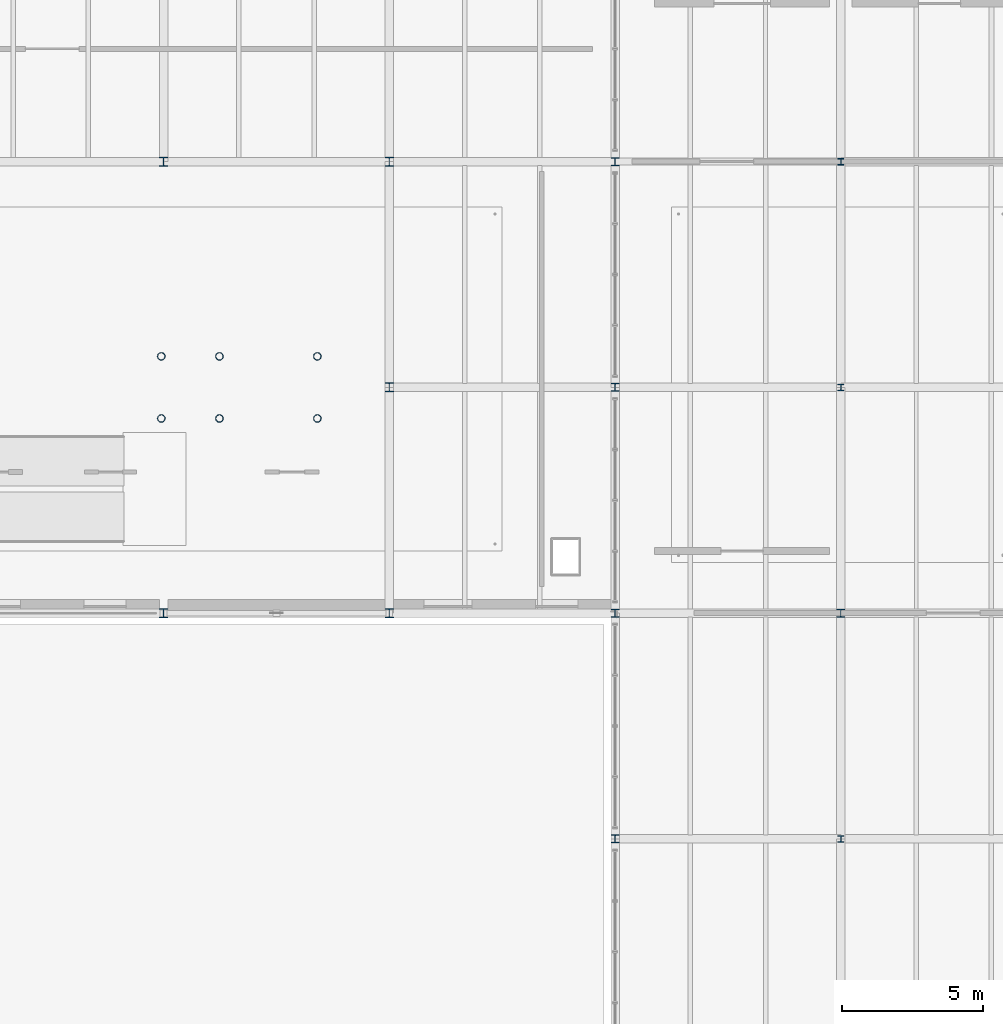
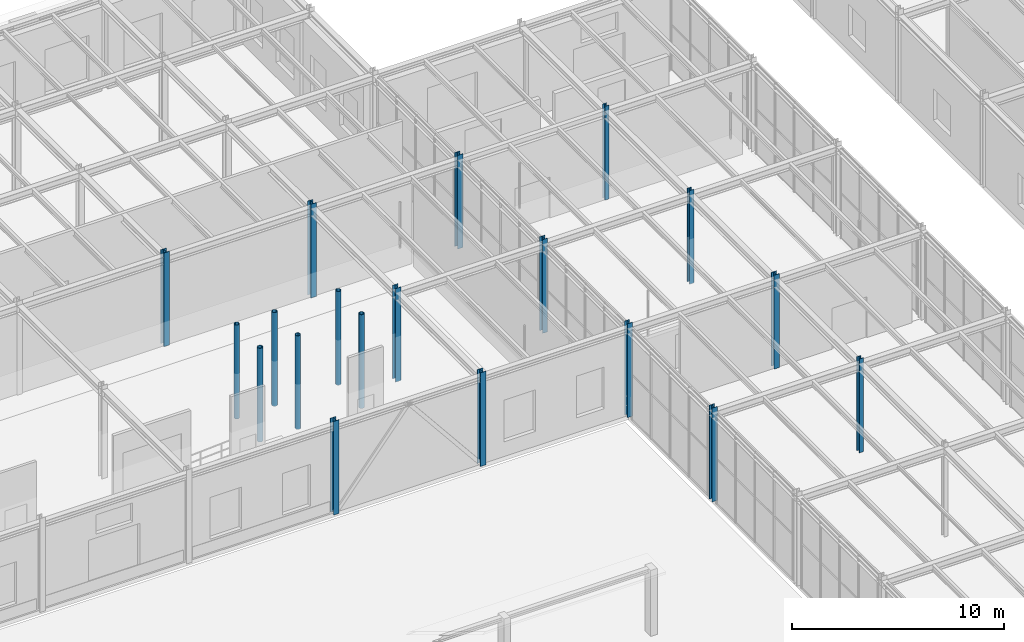
# One storey, part 14 of 129: 19 columns.
"""IFC4 building model written with IfcOpenShell, lengths in metres."""

from ifc_helpers import new_model, si_unit, direction, frame, origin, origin_2d, place, context, subcontext, project, spatial, hollow_circle, i_section, extrude, material, material_profile, profile_set, type_object, element, save


model = new_model("IFC4")

# Units and contexts
model_context = context("Model", 3, precision=1e-05, world=origin(), true_north=direction((0.0, 1.0)))
body_context = subcontext(model_context, "Body", "Model", "MODEL_VIEW")
ifc_project = project(units=[si_unit("LENGTHUNIT", "METRE"), si_unit("AREAUNIT", "SQUARE_METRE"), si_unit("VOLUMEUNIT", "CUBIC_METRE"), si_unit("PLANEANGLEUNIT", "RADIAN"), si_unit("MASSUNIT", "GRAM", prefix="KILO")], contexts=[model_context])

# Site, building, storey
site_placement = place(None, origin())
site = spatial("IfcSite", under=ifc_project, at=site_placement, CompositionType="ELEMENT")
building_placement = place(site_placement, origin())
building = spatial("IfcBuilding", under=site, at=building_placement, Name="Sundkrona Museum", CompositionType="ELEMENT")
storey_placement = place(building_placement, origin())
storey = spatial("IfcBuildingStorey", under=building, at=storey_placement, Name="L00", CompositionType="ELEMENT", Elevation=0.0)

# Columns
ifc_material = material(Name="Steel S355J2", Category="steel")
ifc_material_profile_1 = material_profile(ifc_material, hollow_circle(Radius=0.136474609375, WallThickness=0.012451171875, at=origin_2d()), Name="CHS 273.0x12.5")
ifc_profile_set_1 = profile_set([ifc_material_profile_1], Name="Steel S355J2")
column_type_1 = type_object("IfcColumnType", Name="C-CHS273", PredefinedType="COLUMN", material=ifc_profile_set_1)
for number, where, z_axis, x_axis, name in (
    (1, (63.919921875, 84.89990234375, 0.0), (0.0, 0.0, 1.0), (1.0, 0.0, 0.0), "L00 Feature Stair FS-6 Column S1-1"),
    (2, (63.919921875, 87.10009765625, 0.0), (0.0, 0.0, 1.0), (1.0, 0.0, 0.0), "L00 Feature Stair FS-6 Column S1-2"),
    (3, (65.97998046875, 84.89990234375, 0.0), (0.0, 0.0, 1.0), (1.0, 0.0, 0.0), "L00 Feature Stair FS-6 Column S2-1"),
    (4, (65.97998046875, 87.10009765625, 0.0), (0.0, 0.0, 1.0), (1.0, 0.0, 0.0), "L00 Feature Stair FS-6 Column S2-2"),
    (5, (69.449951171875, 84.89990234375, 0.0), (0.0, 0.0, 1.0), (1.0, 0.0, 0.0), "L00 Feature Stair FS-6 Column S3-1"),
    (6, (69.449951171875, 87.10009765625, 0.0), (0.0, 0.0, 1.0), (1.0, 0.0, 0.0), "L00 Feature Stair FS-6 Column S3-2"),
):
    element("IfcColumn", number, at=place(storey_placement, frame(where, z_axis=z_axis, x_axis=x_axis)), inside=storey, type_object=column_type_1, Name=name, PredefinedType="COLUMN", context=body_context, shape_type="SweptSolid", body=[
        extrude(hollow_circle(Radius=0.136474609375, WallThickness=0.012451171875, at=origin_2d()), origin(), (0.0, 0.0, 1.0), 5.39990234375),
    ])
ifc_material_profile_2 = material_profile(ifc_material, i_section(OverallWidth=0.280029296875, OverallDepth=0.280029296875, WebThickness=0.010498046875, FlangeThickness=0.01806640625, FilletRadius=0.02392578125, at=origin_2d()), Name="HEB 280")
ifc_profile_set_2 = profile_set([ifc_material_profile_2], Name="Steel S355J2")
column_type_2 = type_object("IfcColumnType", Name="C-HEB280", PredefinedType="COLUMN", material=ifc_profile_set_2)
for number, where, z_axis, x_axis, name in (
    (7, (80.0, 70.0, 0.0), (0.0, 0.0, 1.0), (1.0, 0.0, 0.0), "L00 Column K/11"),
    (8, (80.0, 78.0, 0.0), (0.0, 0.0, 1.0), (1.0, 0.0, 0.0), "L00 Column L/11"),
    (9, (80.0, 86.0, 0.0), (0.0, 0.0, 1.0), (1.0, 0.0, 0.0), "L00 Column M/11"),
    (10, (80.0, 94.0, 0.0), (0.0, 0.0, 1.0), (1.0, 0.0, 0.0), "L00 Column N/11"),
    (11, (88.0, 78.0, 0.0), (0.0, 0.0, 1.0), (1.0, 0.0, 0.0), "L00 Column L/12"),
):
    element("IfcColumn", number, at=place(storey_placement, frame(where, z_axis=z_axis, x_axis=x_axis)), inside=storey, type_object=column_type_2, Name=name, PredefinedType="COLUMN", context=body_context, shape_type="SweptSolid", body=[
        extrude(i_section(OverallWidth=0.280029296875, OverallDepth=0.280029296875, WebThickness=0.010498046875, FlangeThickness=0.01806640625, FilletRadius=0.02392578125, at=origin_2d()), origin(), (0.0, 0.0, 1.0), 5.39990234375),
    ])
ifc_material_profile_3 = material_profile(ifc_material, i_section(OverallWidth=0.300048828125, OverallDepth=0.320068359375, WebThickness=0.011474609375, FlangeThickness=0.0205078125, FilletRadius=0.027099609375, at=origin_2d()), Name="HEB 320")
ifc_profile_set_3 = profile_set([ifc_material_profile_3], Name="Steel S355J2")
column_type_3 = type_object("IfcColumnType", Name="C-HEB320", PredefinedType="COLUMN", material=ifc_profile_set_3)
for number, where, z_axis, x_axis, name in (
    (12, (64.0, 78.0, 0.0), (0.0, 0.0, 1.0), (1.0, 0.0, 0.0), "L00 Column L/9"),
    (13, (64.0, 94.0, 0.0), (0.0, 0.0, 1.0), (1.0, 0.0, 0.0), "L00 Column N/9"),
    (14, (72.0, 78.0, 0.0), (0.0, 0.0, 1.0), (1.0, 0.0, 0.0), "L00 Column L/10"),
    (15, (72.0, 86.0, 0.0), (0.0, 0.0, 1.0), (1.0, 0.0, 0.0), "L00 Column M/10"),
    (16, (72.0, 94.0, 0.0), (0.0, 0.0, 1.0), (1.0, 0.0, 0.0), "L00 Column N/10"),
):
    element("IfcColumn", number, at=place(storey_placement, frame(where, z_axis=z_axis, x_axis=x_axis)), inside=storey, type_object=column_type_3, Name=name, PredefinedType="COLUMN", context=body_context, shape_type="SweptSolid", body=[
        extrude(i_section(OverallWidth=0.300048828125, OverallDepth=0.320068359375, WebThickness=0.011474609375, FlangeThickness=0.0205078125, FilletRadius=0.027099609375, at=origin_2d()), origin(), (0.0, 0.0, 1.0), 5.39990234375),
    ])
ifc_material_profile_4 = material_profile(ifc_material, i_section(OverallWidth=0.22607421875, OverallDepth=0.239990234375, WebThickness=0.015380859375, FlangeThickness=0.02587890625, FilletRadius=0.01806640625, at=origin_2d()), Name="HEM 220")
ifc_profile_set_4 = profile_set([ifc_material_profile_4], Name="Steel S355J2")
column_type_4 = type_object("IfcColumnType", Name="C-HEM220", PredefinedType="COLUMN", material=ifc_profile_set_4)
for number, where, z_axis, x_axis, name in (
    (17, (88.0, 70.0, 0.0), (0.0, 0.0, 1.0), (1.0, 0.0, 0.0), "L00 Column K/12"),
    (18, (88.0, 86.0, 0.0), (0.0, 0.0, 1.0), (1.0, 0.0, 0.0), "L00 Column M/12"),
    (19, (88.0, 94.0, 0.0), (0.0, 0.0, 1.0), (1.0, 0.0, 0.0), "L00 Column N/12"),
):
    element("IfcColumn", number, at=place(storey_placement, frame(where, z_axis=z_axis, x_axis=x_axis)), inside=storey, type_object=column_type_4, Name=name, PredefinedType="COLUMN", context=body_context, shape_type="SweptSolid", body=[
        extrude(i_section(OverallWidth=0.22607421875, OverallDepth=0.239990234375, WebThickness=0.015380859375, FlangeThickness=0.02587890625, FilletRadius=0.01806640625, at=origin_2d()), origin(), (0.0, 0.0, 1.0), 5.39990234375),
    ])

save(model, "model.ifc")
